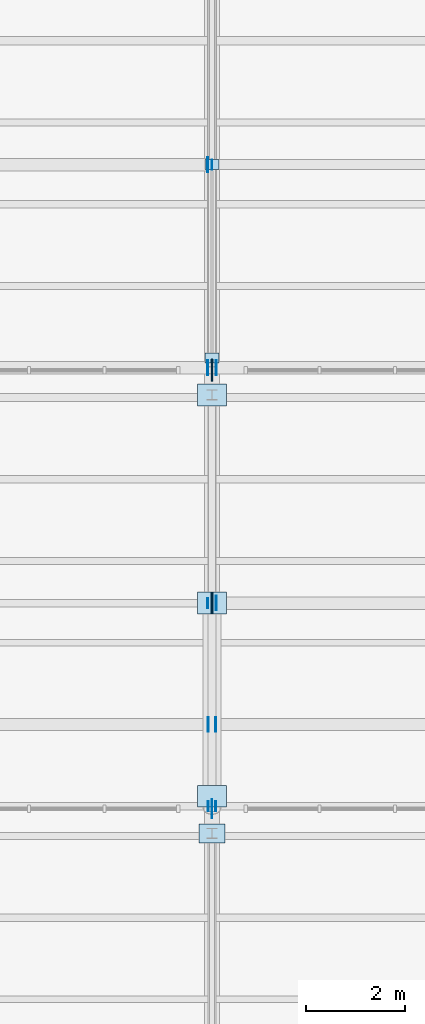
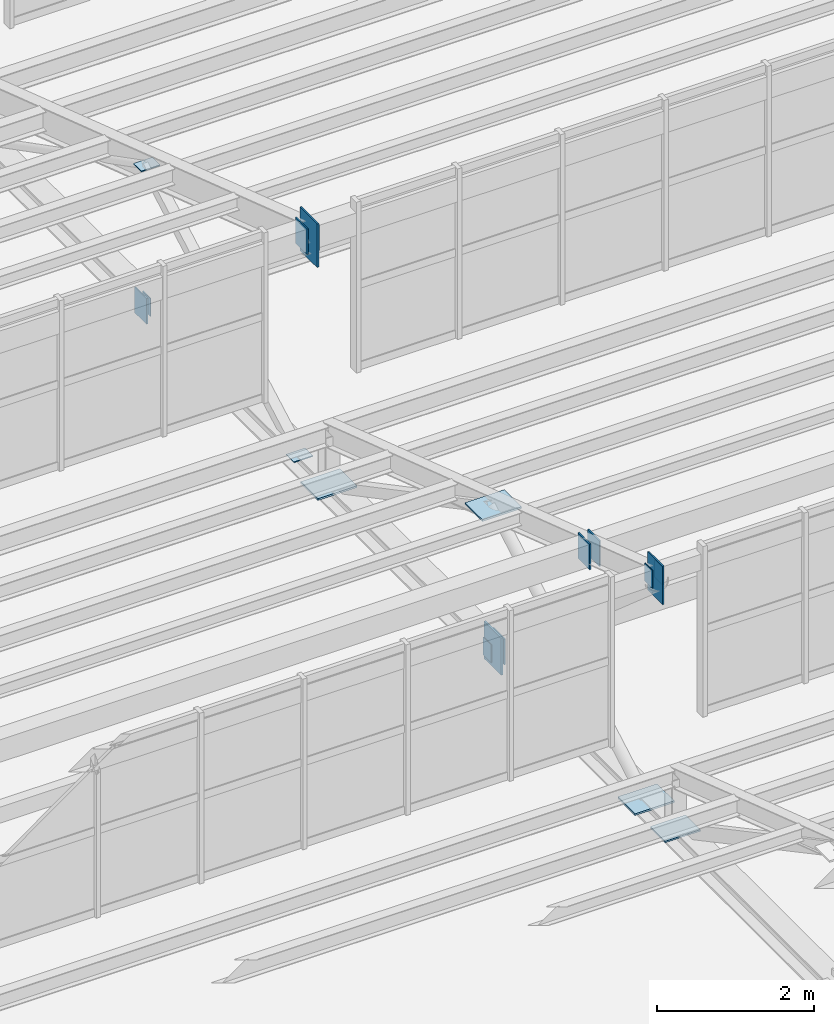
# One storey, part 212 of 285: 19 plates.
"""IFC4 building model written with IfcOpenShell, lengths in metres."""

from ifc_helpers import new_model, si_unit, direction, frame, origin, origin_2d, place, context, subcontext, project, spatial, rectangle, extrude, material, layer, layer_set, type_object, element, save


model = new_model("IFC4")

# Units and contexts
model_context = context("Model", 3, precision=1e-05, world=origin(), true_north=direction((0.0, 1.0)))
body_context = subcontext(model_context, "Body", "Model", "MODEL_VIEW")
ifc_project = project(units=[si_unit("LENGTHUNIT", "METRE"), si_unit("AREAUNIT", "SQUARE_METRE"), si_unit("VOLUMEUNIT", "CUBIC_METRE"), si_unit("PLANEANGLEUNIT", "RADIAN"), si_unit("MASSUNIT", "GRAM", prefix="KILO")], contexts=[model_context])

# Site, building, storey
site_placement = place(None, origin())
site = spatial("IfcSite", under=ifc_project, at=site_placement, CompositionType="ELEMENT")
building_placement = place(site_placement, origin())
building = spatial("IfcBuilding", under=site, at=building_placement, Name="Solanera Park Tramway Depot", CompositionType="ELEMENT")
storey_placement = place(building_placement, origin())
storey = spatial("IfcBuildingStorey", under=building, at=storey_placement, Name="L00", CompositionType="ELEMENT", Elevation=0.0)

# Plates
ifc_material_1 = material(Name="Steel AS/NZS 3679.1 Grade 350", Category="steel")
ifc_layer_1 = layer(ifc_material_1, 0.013916015625)
ifc_layer_set_1 = layer_set([ifc_layer_1], Name="Steel AS/NZS 3679.1 Grade 350")
plate_type_1 = type_object("IfcPlateType", Name="Hollow End Cap and Base Plate 280x200x14", PredefinedType="USERDEFINED", material=ifc_layer_set_1)
for number, where, z_axis, x_axis, name in (
    (1, (74.92529296875, 64.64990234375, 10.0), (0.0, 0.0, 1.0), (1.0, 0.0, 0.0), "Hollow Section Welded End Cap Plate #0229"),
    (2, (75.07470703125, 64.64990234375, 10.0), (0.0, 0.0, 1.0), (1.0, 0.0, 0.0), "Hollow Section Welded End Cap Plate #0230"),
    (3, (74.9150390625, 68.75, 6.35986328125), (0.0, 0.0, 1.0), (1.0, 0.0, 0.0), "Hollow Section Welded End Cap Plate #0259"),
    (4, (75.0, 77.60009765625, 6.35986328125), (0.0, 0.0, 1.0), (1.0, 0.0, 0.0), "Sawtooth Truss Hollow End Cap #0292"),
):
    element("IfcPlate", number, at=place(storey_placement, frame(where, z_axis=z_axis, x_axis=x_axis)), inside=storey, type_object=plate_type_1, Name=name, ObjectType="BASE PLATE", PredefinedType="USERDEFINED", context=body_context, shape_type="SweptSolid", body=[
        extrude(rectangle(XDim=0.013916015625, YDim=0.199951171875, at=origin_2d()), origin(), (0.0, 0.0, 1.0), 0.280029296875),
    ])
for number, where, z_axis, x_axis, name in (
    (5, (75.0, 77.60009765625, 8.66064453125), (0.0, 0.0, 1.0), (1.0, 0.0, 0.0), "Sawtooth Truss Node Cap Plate #0294"),
    (6, (75.0, 73.699951171875, 6.4931640625), (0.0, 0.0, 1.0), (1.0, 0.0, 0.0), "Sawtooth Truss Node Cap Plate #0295"),
):
    element("IfcPlate", number, at=place(storey_placement, frame(where, z_axis=z_axis, x_axis=x_axis)), inside=storey, type_object=plate_type_1, Name=name, ObjectType="BASE PLATE", PredefinedType="USERDEFINED", context=body_context, shape_type="SweptSolid", body=[
        extrude(rectangle(XDim=0.280029296875, YDim=0.199951171875, at=origin_2d()), origin(), (0.0, 0.0, 1.0), 0.013916015625),
    ])
ifc_material_2 = material(Name="Steel AS/NZS 3679.1 Grade 350", Category="steel")
ifc_layer_2 = layer(ifc_material_2, 0.02001953125)
ifc_layer_set_2 = layer_set([ifc_layer_2], Name="Steel AS/NZS 3679.1 Grade 350")
plate_type_2 = type_object("IfcPlateType", Name="Hollow End Cap and Base Plate 400x300x20", PredefinedType="USERDEFINED", material=ifc_layer_set_2)
for number, where, z_axis, x_axis, name in (
    (7, (74.92822265625, 66.300048828125, 9.3212890625), (0.0, 0.0, 1.0), (1.0, 0.0, 0.0), "Hollow Section Welded End Cap Plate #0245"),
    (8, (75.07177734375, 66.300048828125, 9.3212890625), (0.0, 0.0, 1.0), (1.0, 0.0, 0.0), "Hollow Section Welded End Cap Plate #0246"),
    (9, (75.08203125, 68.75, 6.300048828125), (0.0, 0.0, 1.0), (1.0, 0.0, 0.0), "Hollow Section Welded End Cap Plate #0260"),
    (10, (74.918701171875, 73.5, 9.873291015625), (0.0, 0.0, 1.0), (1.0, 0.0, 0.0), "Hollow Section Welded End Cap Plate #0330"),
    (11, (75.081298828125, 73.5, 9.873291015625), (0.0, 0.0, 1.0), (1.0, 0.0, 0.0), "Hollow Section Welded End Cap Plate #0331"),
    (12, (74.91796875, 77.60009765625, 6.300048828125), (0.0, 0.0, 1.0), (1.0, 0.0, 0.0), "Hollow Section Welded End Cap Plate #0348"),
):
    element("IfcPlate", number, at=place(storey_placement, frame(where, z_axis=z_axis, x_axis=x_axis)), inside=storey, type_object=plate_type_2, Name=name, ObjectType="BASE PLATE", PredefinedType="USERDEFINED", context=body_context, shape_type="SweptSolid", body=[
        extrude(rectangle(XDim=0.02001953125, YDim=0.300048828125, at=origin_2d()), origin(), (0.0, 0.0, 1.0), 0.39990234375),
    ])
ifc_material_3 = material(Name="Steel AS/NZS 3679.1 Grade 350", Category="steel")
ifc_layer_3 = layer(ifc_material_3, 0.02490234375)
ifc_layer_set_3 = layer_set([ifc_layer_3], Name="Steel AS/NZS 3679.1 Grade 350")
plate_type_3 = type_object("IfcPlateType", Name="Hollow End Cap and Base Plate 520x380x25", PredefinedType="USERDEFINED", material=ifc_layer_set_3)
plate_1_placement = place(storey_placement, frame((75.0, 64.10009765625, 6.487548828125), z_axis=(0.0, 0.0, 1.0), x_axis=(1.0, 0.0, 0.0)))
element("IfcPlate", 13, at=plate_1_placement, inside=storey, type_object=plate_type_3, Name="Sawtooth Truss Node Cap Plate #0094", ObjectType="BASE PLATE", PredefinedType="USERDEFINED", context=body_context, shape_type="SweptSolid", body=[
    extrude(rectangle(XDim=0.52001953125, YDim=0.3798828125, at=origin_2d()), origin(), (0.0, 0.0, 1.0), 0.02490234375),
])
ifc_material_4 = material(Name="Steel AS/NZS 3679.1 Grade 350", Category="steel")
ifc_layer_4 = layer(ifc_material_4, 0.028076171875)
ifc_layer_set_4 = layer_set([ifc_layer_4], Name="Steel AS/NZS 3679.1 Grade 350")
plate_type_4 = type_object("IfcPlateType", Name="Hollow End Cap and Base Plate 580x440x28", PredefinedType="USERDEFINED", material=ifc_layer_set_4)
plate_2_placement = place(storey_placement, frame((75.0, 68.75, 6.2099609375), z_axis=(0.0, 0.0, 1.0), x_axis=(1.0, 0.0, 0.0)))
element("IfcPlate", 14, at=plate_2_placement, inside=storey, type_object=plate_type_4, Name="Sawtooth Truss Hollow End Cap #0198", ObjectType="BASE PLATE", PredefinedType="USERDEFINED", context=body_context, shape_type="SweptSolid", body=[
    extrude(rectangle(XDim=0.028076171875, YDim=0.43994140625, at=origin_2d()), origin(), (0.0, 0.0, 1.0), 0.580078125),
])
for number, where, z_axis, x_axis, name in (
    (15, (75.0, 72.949951171875, 6.48583984375), (0.0, 0.0, 1.0), (1.0, 0.0, 0.0), "Sawtooth Truss Node Cap Plate #0199"),
    (16, (75.0, 68.75, 8.70458984375), (0.0, 0.0, 1.0), (1.0, 0.0, 0.0), "Sawtooth Truss Node Cap Plate #0200"),
    (17, (75.0, 64.85009765625, 6.48583984375), (0.0, 0.0, 1.0), (1.0, 0.0, 0.0), "Sawtooth Truss Node Cap Plate #0201"),
):
    element("IfcPlate", number, at=place(storey_placement, frame(where, z_axis=z_axis, x_axis=x_axis)), inside=storey, type_object=plate_type_4, Name=name, ObjectType="BASE PLATE", PredefinedType="USERDEFINED", context=body_context, shape_type="SweptSolid", body=[
        extrude(rectangle(XDim=0.580078125, YDim=0.43994140625, at=origin_2d()), origin(), (0.0, 0.0, 1.0), 0.028076171875),
    ])
ifc_material_5 = material(Name="Steel AS/NZS 3679.1 Grade 350", Category="steel")
ifc_layer_5 = layer(ifc_material_5, 0.02001953125)
ifc_layer_set_5 = layer_set([ifc_layer_5], Name="Steel AS/NZS 3679.1 Grade 350")
plate_type_5 = type_object("IfcPlateType", Name="Truss Node Gusset Stiffener 600x380x20", PredefinedType="SHEET", material=ifc_layer_set_5)
plate_3_placement = place(storey_placement, frame((75.0, 64.60009765625, 9.806884765625), z_axis=(0.0, 0.0, 1.0), x_axis=(1.0, 0.0, 0.0)))
element("IfcPlate", 18, at=plate_3_placement, inside=storey, type_object=plate_type_5, Name="Sawtooth Truss Apex Gusset Plate #0197", PredefinedType="SHEET", context=body_context, shape_type="SweptSolid", body=[
    extrude(rectangle(XDim=0.02001953125, YDim=0.3798828125, at=origin_2d()), origin(), (0.0, 0.0, 1.0), 0.60009765625),
])
ifc_material_6 = material(Name="Steel AS/NZS 3679.1 Grade 350", Category="steel")
ifc_layer_6 = layer(ifc_material_6, 0.02392578125)
ifc_layer_set_6 = layer_set([ifc_layer_6], Name="Steel AS/NZS 3679.1 Grade 350")
plate_type_6 = type_object("IfcPlateType", Name="Truss Node Gusset Stiffener 680x440x24", PredefinedType="SHEET", material=ifc_layer_set_6)
plate_4_placement = place(storey_placement, frame((75.0, 73.449951171875, 9.71630859375), z_axis=(0.0, 0.0, 1.0), x_axis=(1.0, 0.0, 0.0)))
element("IfcPlate", 19, at=plate_4_placement, inside=storey, type_object=plate_type_6, Name="Sawtooth Truss Apex Gusset Plate #0291", PredefinedType="SHEET", context=body_context, shape_type="SweptSolid", body=[
    extrude(rectangle(XDim=0.02392578125, YDim=0.43994140625, at=origin_2d()), origin(), (0.0, 0.0, 1.0), 0.679931640625),
])

save(model, "model.ifc")
